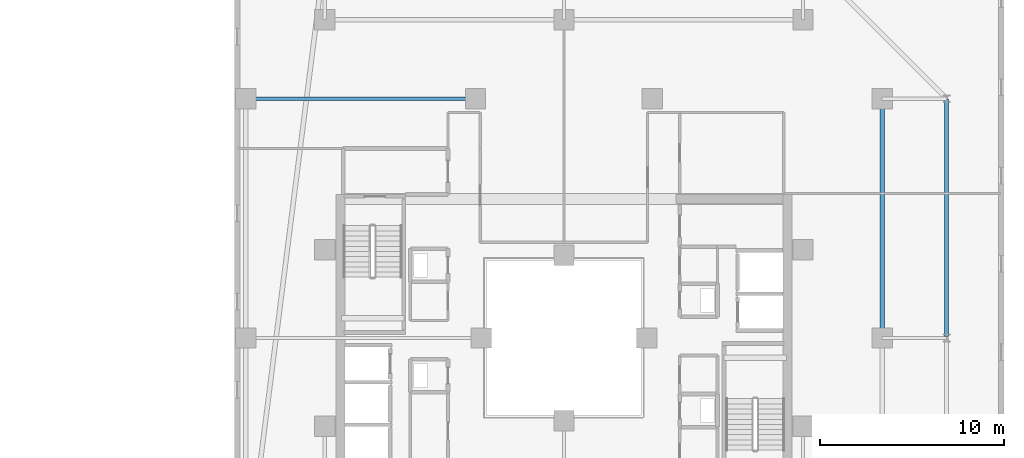
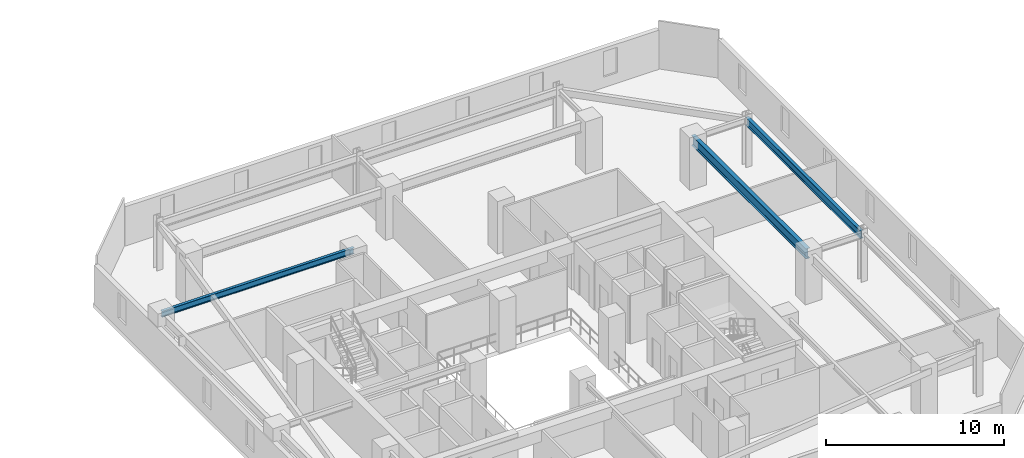
# One storey, part 13 of 30: 3 beams.
"""IFC4 building model written with IfcOpenShell, lengths in metres."""

from ifc_helpers import new_model, si_unit, direction, frame, origin, origin_2d, place, context, subcontext, project, spatial, i_section, extrude, material, material_profile, profile_set, type_object, element, save


model = new_model("IFC4")

# Units and contexts
model_context = context("Model", 3, precision=1e-05, world=origin(), true_north=direction((0.0, 1.0)))
body_context = subcontext(model_context, "Body", "Model", "MODEL_VIEW")
ifc_project = project(units=[si_unit("LENGTHUNIT", "METRE"), si_unit("AREAUNIT", "SQUARE_METRE"), si_unit("VOLUMEUNIT", "CUBIC_METRE"), si_unit("PLANEANGLEUNIT", "RADIAN"), si_unit("MASSUNIT", "GRAM", prefix="KILO")], contexts=[model_context])

# Site, building, storey
site_placement = place(None, origin())
site = spatial("IfcSite", under=ifc_project, at=site_placement, CompositionType="ELEMENT")
building_placement = place(site_placement, origin())
building = spatial("IfcBuilding", under=site, at=building_placement, Name="Thornwick Lancets Civic Towers", CompositionType="ELEMENT")
storey_placement = place(building_placement, frame((0.0, 0.0, 149.10009765625)))
storey = spatial("IfcBuildingStorey", under=building, at=storey_placement, Name="L39", CompositionType="ELEMENT", Elevation=149.10009765625)

# Beams
ifc_material = material(Name="Steel S355JR", Category="steel")
ifc_material_profile_1 = material_profile(ifc_material, i_section(OverallWidth=0.210693359375, OverallDepth=0.53955078125, WebThickness=0.01171875, FlangeThickness=0.018798828125, FilletRadius=0.0126953125, at=origin_2d()), Name="UKB 533x210x109")
ifc_profile_set_1 = profile_set([ifc_material_profile_1], Name="Steel S355JR")
beam_type_1 = type_object("IfcBeamType", Name="BM_EDGE_533_109", PredefinedType="SPANDREL", material=ifc_profile_set_1)
beam_1_placement = place(storey_placement, frame((109.300048828125, 27.080078125, 3.050048828125), z_axis=(0.0, 1.0, 0.0), x_axis=(-1.0, 0.0, 0.0)))
element("IfcBeam", 1, at=beam_1_placement, inside=storey, type_object=beam_type_1, Name="BM-EDGE-L39-B-S0-2", PredefinedType="SPANDREL", context=body_context, shape_type="SweptSolid", body=[
    extrude(i_section(OverallWidth=0.210693359375, OverallDepth=0.53955078125, WebThickness=0.01171875, FlangeThickness=0.018798828125, FilletRadius=0.0126953125, at=origin_2d()), origin(), (0.0, 0.0, 1.0), 12.919921875),
])
ifc_material_profile_2 = material_profile(ifc_material, i_section(OverallWidth=0.255859375, OverallDepth=0.69287109375, WebThickness=0.014404296875, FlangeThickness=0.023681640625, FilletRadius=0.01513671875, at=origin_2d()), Name="UKB 686x254x170")
ifc_profile_set_2 = profile_set([ifc_material_profile_2], Name="Steel S355JR")
beam_type_2 = type_object("IfcBeamType", Name="BM_GIRD_686_170", PredefinedType="BEAM", material=ifc_profile_set_2)
beam_2_placement = place(storey_placement, frame((105.800048828125, 27.080078125, 2.973388671875), z_axis=(0.0, 1.0, 0.0), x_axis=(-1.0, 0.0, 0.0)))
element("IfcBeam", 2, at=beam_2_placement, inside=storey, type_object=beam_type_2, Name="BM-SPINE-L39-B-1-2", PredefinedType="BEAM", context=body_context, shape_type="SweptSolid", body=[
    extrude(i_section(OverallWidth=0.255859375, OverallDepth=0.69287109375, WebThickness=0.014404296875, FlangeThickness=0.023681640625, FilletRadius=0.01513671875, at=origin_2d()), origin(), (0.0, 0.0, 1.0), 12.919921875),
])
ifc_material_profile_3 = material_profile(ifc_material, i_section(OverallWidth=0.179443359375, OverallDepth=0.412841796875, WebThickness=0.009521484375, FlangeThickness=0.01611328125, FilletRadius=0.01025390625, at=origin_2d()), Name="UKB 406x178x74")
ifc_profile_set_3 = profile_set([ifc_material_profile_3], Name="Steel S355JR")
beam_type_3 = type_object("IfcBeamType", Name="BM_JOIST_406_74", PredefinedType="JOIST", material=ifc_profile_set_3)
beam_3_placement = place(storey_placement, frame((83.699951171875, 40.0, 3.113525390625), z_axis=(-1.0, 0.0, 0.0), x_axis=(0.0, -1.0, 0.0)))
element("IfcBeam", 3, at=beam_3_placement, inside=storey, type_object=beam_type_3, Name="BM-RADIN-L39-B09", PredefinedType="JOIST", context=body_context, shape_type="SweptSolid", body=[
    extrude(i_section(OverallWidth=0.179443359375, OverallDepth=0.412841796875, WebThickness=0.009521484375, FlangeThickness=0.01611328125, FilletRadius=0.01025390625, at=origin_2d()), origin(), (0.0, 0.0, 1.0), 12.5),
])

save(model, "model.ifc")
